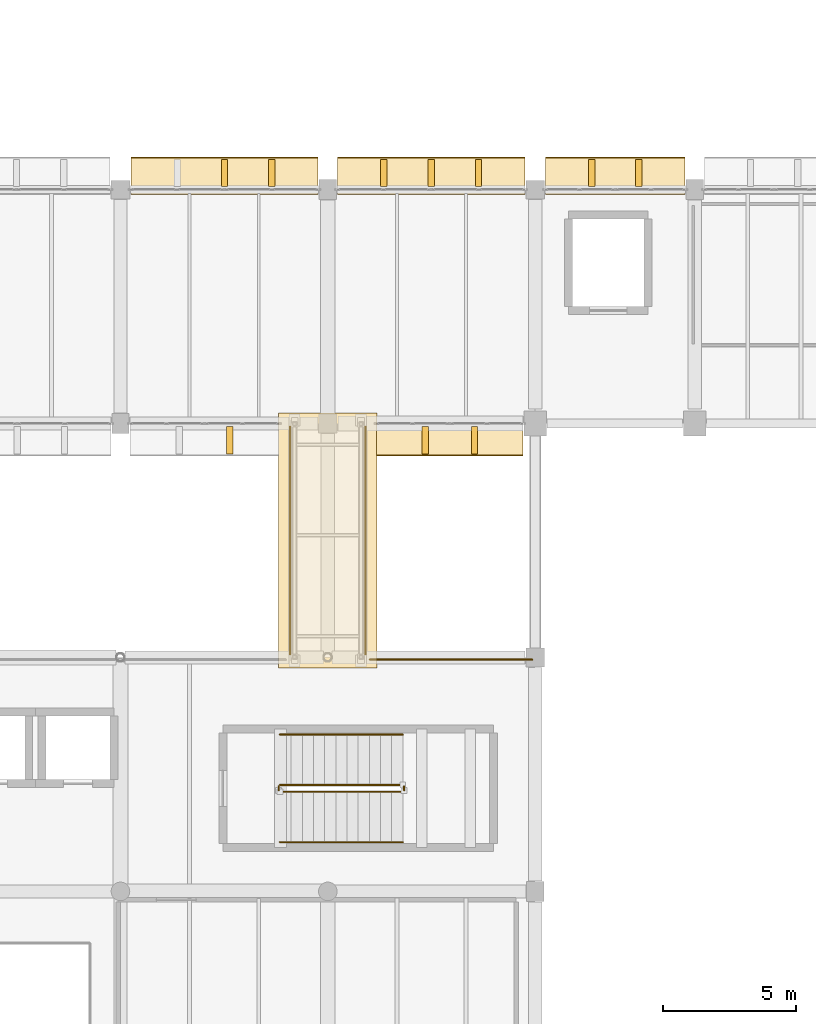
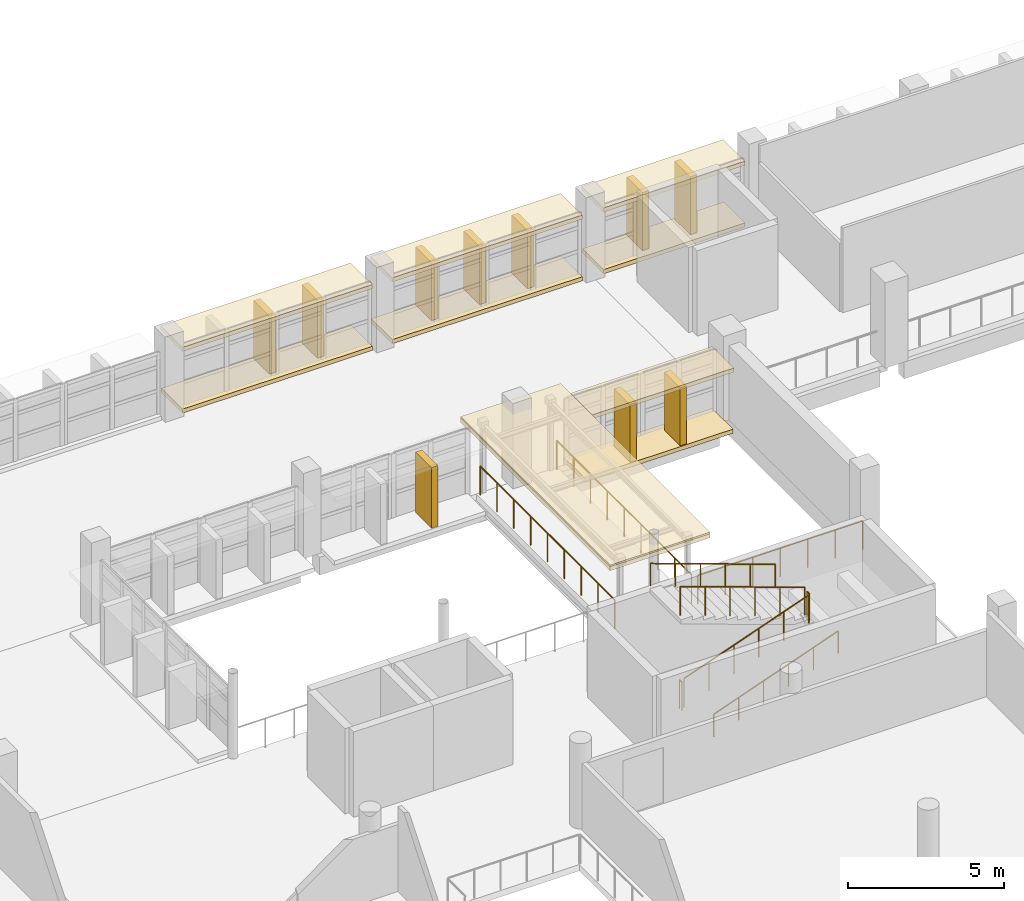
# One storey, part 72 of 75: 10 coverings, 10 shading devices, 9 railings.
"""IFC4 building model written with IfcOpenShell, lengths in metres."""

from ifc_helpers import new_model, si_unit, direction, frame, origin, origin_2d, place, context, subcontext, project, spatial, polyline, rectangle, circle, outline, extrude, material, layer, layer_set, type_object, element, save


model = new_model("IFC4")

# Units and contexts
model_context = context("Model", 3, precision=1e-05, world=origin(), true_north=direction((0.0, 1.0)))
body_context = subcontext(model_context, "Body", "Model", "MODEL_VIEW")
ifc_project = project(units=[si_unit("LENGTHUNIT", "METRE"), si_unit("AREAUNIT", "SQUARE_METRE"), si_unit("VOLUMEUNIT", "CUBIC_METRE"), si_unit("PLANEANGLEUNIT", "RADIAN"), si_unit("MASSUNIT", "GRAM", prefix="KILO")], contexts=[model_context])

# Site, building, storey
site_placement = place(None, origin())
site = spatial("IfcSite", under=ifc_project, at=site_placement, CompositionType="ELEMENT")
building_placement = place(site_placement, origin())
building = spatial("IfcBuilding", under=site, at=building_placement, Name="Varnakota Cinema and Media Centre", CompositionType="ELEMENT")
storey_placement = place(building_placement, frame((0.0, 0.0, 8.39990234375)))
storey = spatial("IfcBuildingStorey", under=building, at=storey_placement, Name="L02", CompositionType="ELEMENT", Elevation=8.39990234375)

# Coverings
ifc_material_1 = material(Name="Precast concrete M40", Category="concrete")
ifc_layer_1 = layer(ifc_material_1, 0.159912109375)
ifc_layer_set_1 = layer_set([ifc_layer_1], Name="Precast concrete M40")
covering_type_1 = type_object("IfcCoveringType", Name="COV-CHAJJA-160", PredefinedType="CLADDING", material=ifc_layer_set_1)
covering_1_placement = place(storey_placement, frame((0.0, 0.0, 2.4150390625)))
element("IfcCovering", 1, at=covering_1_placement, inside=storey, type_object=covering_type_1, Name="L02 Brutalist chajja overhang V1-N-1", PredefinedType="CLADDING", context=body_context, shape_type="SweptSolid", body=[
    extrude(outline(polyline([(75.389892578125, 43.820068359375), (80.635009765625, 43.820068359375), (80.635009765625, 45.219970703125), (75.389892578125, 45.219970703125), (75.389892578125, 43.820068359375)])), origin(), (0.0, 0.0, 1.0), 0.16015625),
])
covering_2_placement = place(storey_placement, origin())
element("IfcCovering", 2, at=covering_2_placement, inside=storey, type_object=covering_type_1, Name="L02 brise-soleil base plinth V1-N-1", PredefinedType="CLADDING", context=body_context, shape_type="SweptSolid", body=[
    extrude(outline(polyline([(75.389892578125, 43.820068359375), (80.635009765625, 43.820068359375), (80.635009765625, 45.179931640625), (75.389892578125, 45.179931640625), (75.389892578125, 43.820068359375)])), origin(), (0.0, 0.0, 1.0), 0.16015625),
])
covering_3_placement = place(storey_placement, frame((0.0, 0.0, 2.4150390625)))
element("IfcCovering", 3, at=covering_3_placement, inside=storey, type_object=covering_type_1, Name="L02 Brutalist chajja overhang LINK-N-3", PredefinedType="CLADDING", context=body_context, shape_type="SweptSolid", body=[
    extrude(outline(polyline([(59.7900390625, 43.820068359375), (66.8349609375, 43.820068359375), (66.8349609375, 45.219970703125), (59.7900390625, 45.219970703125), (59.7900390625, 43.820068359375)])), origin(), (0.0, 0.0, 1.0), 0.16015625),
])
covering_4_placement = place(storey_placement, origin())
element("IfcCovering", 4, at=covering_4_placement, inside=storey, type_object=covering_type_1, Name="L02 brise-soleil base plinth LINK-N-3", PredefinedType="CLADDING", context=body_context, shape_type="SweptSolid", body=[
    extrude(outline(polyline([(59.7900390625, 43.820068359375), (66.8349609375, 43.820068359375), (66.8349609375, 45.179931640625), (59.7900390625, 45.179931640625), (59.7900390625, 43.820068359375)])), origin(), (0.0, 0.0, 1.0), 0.16015625),
])
covering_5_placement = place(storey_placement, frame((0.0, 0.0, 2.4150390625)))
element("IfcCovering", 5, at=covering_5_placement, inside=storey, type_object=covering_type_1, Name="L02 Brutalist chajja overhang LINK-N-4", PredefinedType="CLADDING", context=body_context, shape_type="SweptSolid", body=[
    extrude(outline(polyline([(67.56494140625, 43.820068359375), (74.610107421875, 43.820068359375), (74.610107421875, 45.219970703125), (67.56494140625, 45.219970703125), (67.56494140625, 43.820068359375)])), origin(), (0.0, 0.0, 1.0), 0.16015625),
])
covering_6_placement = place(storey_placement, origin())
element("IfcCovering", 6, at=covering_6_placement, inside=storey, type_object=covering_type_1, Name="L02 brise-soleil base plinth LINK-N-4", PredefinedType="CLADDING", context=body_context, shape_type="SweptSolid", body=[
    extrude(outline(polyline([(67.56494140625, 43.820068359375), (74.610107421875, 43.820068359375), (74.610107421875, 45.179931640625), (67.56494140625, 45.179931640625), (67.56494140625, 43.820068359375)])), origin(), (0.0, 0.0, 1.0), 0.16015625),
])
covering_7_placement = place(storey_placement, frame((0.0, 0.0, 2.4150390625)))
element("IfcCovering", 7, at=covering_7_placement, inside=storey, type_object=covering_type_1, Name="L02 Brutalist chajja overhang LINK-S-E-1", PredefinedType="CLADDING", context=body_context, shape_type="SweptSolid", body=[
    extrude(outline(polyline([(74.534912109375, 35.3798828125), (69.0400390625, 35.3798828125), (69.0400390625, 33.97998046875), (74.534912109375, 33.97998046875), (74.534912109375, 35.3798828125)])), origin(), (0.0, 0.0, 1.0), 0.16015625),
])
covering_8_placement = place(storey_placement, origin())
element("IfcCovering", 8, at=covering_8_placement, inside=storey, type_object=covering_type_1, Name="L02 brise-soleil base plinth LINK-S-E-1", PredefinedType="CLADDING", context=body_context, shape_type="SweptSolid", body=[
    extrude(outline(polyline([(74.534912109375, 35.3798828125), (69.0400390625, 35.3798828125), (69.0400390625, 34.02001953125), (74.534912109375, 34.02001953125), (74.534912109375, 35.3798828125)])), origin(), (0.0, 0.0, 1.0), 0.16015625),
])
ifc_material_2 = material(Name="Pale Tandur limestone cool roof", Category="masonry")
ifc_layer_2 = layer(ifc_material_2, 0.080078125)
ifc_layer_set_2 = layer_set([ifc_layer_2], Name="Pale Tandur limestone cool roof")
covering_type_2 = type_object("IfcCoveringType", Name="COV-COOLROOF-80", PredefinedType="ROOFING", material=ifc_layer_set_2)
covering_9_placement = place(storey_placement, frame((0.0, 0.0, 2.85009765625)))
element("IfcCovering", 9, at=covering_9_placement, inside=storey, type_object=covering_type_2, Name="L02 Chowk sky-bridge BR2 cool-roof cap", PredefinedType="ROOFING", context=body_context, shape_type="SweptSolid", body=[
    extrude(outline(polyline([(65.35009765625, 26.0), (69.050048828125, 26.0), (69.050048828125, 35.60009765625), (65.35009765625, 35.60009765625), (65.35009765625, 26.0)])), origin(), (0.0, 0.0, 1.0), 0.06005859375),
])
ifc_material_3 = material(Name="Pale Tandur limestone cladding", Category="masonry")
ifc_layer_3 = layer(ifc_material_3, 0.1201171875)
ifc_layer_set_3 = layer_set([ifc_layer_3], Name="Pale Tandur limestone cladding")
covering_type_3 = type_object("IfcCoveringType", Name="COV-CORNICE-120", PredefinedType="ROOFING", material=ifc_layer_set_3)
covering_10_placement = place(storey_placement, frame((0.0, 0.0, 2.690185546875)))
element("IfcCovering", 10, at=covering_10_placement, inside=storey, type_object=covering_type_3, Name="L02 Chowk sky-bridge BR2 precast sun-canopy", PredefinedType="ROOFING", context=body_context, shape_type="SweptSolid", body=[
    extrude(outline(polyline([(65.35009765625, 26.0), (69.050048828125, 26.0), (69.050048828125, 35.60009765625), (65.35009765625, 35.60009765625), (65.35009765625, 26.0)])), origin(), (0.0, 0.0, 1.0), 0.159912109375),
])

# Railings
ifc_material_4 = material(Name="Anodised golden-bronze steel Grade 350 (E350)", Category="steel")
ifc_layer_4 = layer(ifc_material_4, 0.050048828125)
ifc_layer_set_4 = layer_set([ifc_layer_4], Name="Anodised golden-bronze steel Grade 350 (E350)")
railing_type_1 = type_object("IfcRailingType", Name="RAIL-GUARD-1150", PredefinedType="BALUSTRADE", material=ifc_layer_set_4)
railing_1_placement = place(storey_placement, frame((68.780029296875, 26.320068359375, 0.0)))
element("IfcRailing", 11, at=railing_1_placement, inside=storey, type_object=railing_type_1, Name="L02 guard balustrade GRD-V6GAL-N2-L02-1", PredefinedType="BALUSTRADE", context=body_context, shape_type="SweptSolid", body=[
    extrude(circle(Radius=0.02392578125, at=origin_2d()), frame((0.0, 0.0, 1.1259765625), z_axis=(1.0, 0.0, 0.0), x_axis=(0.0, 1.0, 0.0)), (0.0, 0.0, 1.0), 6.10986328125),
    extrude(circle(Radius=0.02099609375, at=origin_2d()), origin(), (0.0, 0.0, 1.0), 1.101806640625),
    extrude(circle(Radius=0.02099609375, at=origin_2d()), frame((1.018310546875, 0.0, 0.0)), (0.0, 0.0, 1.0), 1.101806640625),
    extrude(circle(Radius=0.02099609375, at=origin_2d()), frame((2.03662109375, 0.0, 0.0)), (0.0, 0.0, 1.0), 1.101806640625),
    extrude(circle(Radius=0.02099609375, at=origin_2d()), frame((3.054931640625, 0.0, 0.0)), (0.0, 0.0, 1.0), 1.101806640625),
    extrude(circle(Radius=0.02099609375, at=origin_2d()), frame((4.0732421875, 0.0, 0.0)), (0.0, 0.0, 1.0), 1.101806640625),
    extrude(circle(Radius=0.02099609375, at=origin_2d()), frame((5.091552734375, 0.0, 0.0)), (0.0, 0.0, 1.0), 1.101806640625),
    extrude(circle(Radius=0.02099609375, at=origin_2d()), frame((6.10986328125, 0.0, 0.0)), (0.0, 0.0, 1.0), 1.101806640625),
])
for number, where, name in (
    (12, (65.780029296875, 26.449951171875, 0.0), "L02 guard balustrade GRD-BR2-W-1"),
    (13, (68.6201171875, 26.449951171875, 0.0), "L02 guard balustrade GRD-BR2-E-1"),
):
    element("IfcRailing", number, at=place(storey_placement, frame(where)), inside=storey, type_object=railing_type_1, Name=name, PredefinedType="BALUSTRADE", context=body_context, shape_type="SweptSolid", body=[
        extrude(circle(Radius=0.02392578125, at=origin_2d()), frame((0.0, 0.0, 1.1259765625), z_axis=(0.0, 1.0, 0.0), x_axis=(-1.0, 0.0, 0.0)), (0.0, 0.0, 1.0), 8.64013671875),
        extrude(circle(Radius=0.02099609375, at=origin_2d()), origin(), (0.0, 0.0, 1.0), 1.101806640625),
        extrude(circle(Radius=0.02099609375, at=origin_2d()), frame((0.0, 1.080078125, 0.0)), (0.0, 0.0, 1.0), 1.101806640625),
        extrude(circle(Radius=0.02099609375, at=origin_2d()), frame((0.0, 2.16015625, 0.0)), (0.0, 0.0, 1.0), 1.101806640625),
        extrude(circle(Radius=0.02099609375, at=origin_2d()), frame((0.0, 3.239990234375, 0.0)), (0.0, 0.0, 1.0), 1.101806640625),
        extrude(circle(Radius=0.02099609375, at=origin_2d()), frame((0.0, 4.320068359375, 0.0)), (0.0, 0.0, 1.0), 1.101806640625),
        extrude(circle(Radius=0.02099609375, at=origin_2d()), frame((0.0, 5.400146484375, 0.0)), (0.0, 0.0, 1.0), 1.101806640625),
        extrude(circle(Radius=0.02099609375, at=origin_2d()), frame((0.0, 6.47998046875, 0.0)), (0.0, 0.0, 1.0), 1.101806640625),
        extrude(circle(Radius=0.02099609375, at=origin_2d()), frame((0.0, 7.56005859375, 0.0)), (0.0, 0.0, 1.0), 1.101806640625),
        extrude(circle(Radius=0.02099609375, at=origin_2d()), frame((0.0, 8.64013671875, 0.0)), (0.0, 0.0, 1.0), 1.101806640625),
    ])
ifc_material_5 = material(Name="Structural steel Grade 350 (E350)", Category="steel")
ifc_layer_5 = layer(ifc_material_5, 0.050048828125)
ifc_layer_set_5 = layer_set([ifc_layer_5], Name="Structural steel Grade 350 (E350)")
railing_type_2 = type_object("IfcRailingType", Name="RAIL-STAIR-GUARD-1150", PredefinedType="GUARDRAIL", material=ifc_layer_set_5)
railing_2_placement = place(storey_placement, frame((65.39990234375, 21.35009765625, 0.150146484375)))
element("IfcRailing", 14, at=railing_2_placement, inside=storey, type_object=railing_type_2, Name="L02 ST-04 stair guard 1", PredefinedType="GUARDRAIL", context=body_context, shape_type="SweptSolid", body=[
    extrude(circle(Radius=0.02392578125, at=origin_2d()), frame((0.0, 0.0, 1.1259765625), z_axis=(0.941750918478, 0.0, 0.336311176658), x_axis=(0.0, 1.0, 0.0)), (0.0, 0.0, 1.0), 4.90576171875),
    extrude(circle(Radius=0.02099609375, at=origin_2d()), origin(), (0.0, 0.0, 1.0), 1.101806640625),
    extrude(circle(Radius=0.02099609375, at=origin_2d()), frame((0.924072265625, 0.0, 0.330078125)), (0.0, 0.0, 1.0), 1.101806640625),
    extrude(circle(Radius=0.02099609375, at=origin_2d()), frame((1.84814453125, 0.0, 0.659912109375)), (0.0, 0.0, 1.0), 1.101806640625),
    extrude(circle(Radius=0.02099609375, at=origin_2d()), frame((2.77197265625, 0.0, 0.989990234375)), (0.0, 0.0, 1.0), 1.101806640625),
    extrude(circle(Radius=0.02099609375, at=origin_2d()), frame((3.696044921875, 0.0, 1.31982421875)), (0.0, 0.0, 1.0), 1.101806640625),
    extrude(circle(Radius=0.02099609375, at=origin_2d()), frame((4.6201171875, 0.0, 1.64990234375)), (0.0, 0.0, 1.0), 1.101806640625),
])
railing_3_placement = place(storey_placement, frame((70.070068359375, 21.39990234375, 1.800048828125)))
element("IfcRailing", 15, at=railing_3_placement, inside=storey, type_object=railing_type_2, Name="L02 ST-04 stair guard 2", PredefinedType="GUARDRAIL", context=body_context, shape_type="SweptSolid", body=[
    extrude(circle(Radius=0.02392578125, at=origin_2d()), frame((0.0, 0.0, 1.1259765625), z_axis=(0.0, 1.0, 0.0), x_axis=(-1.0, 0.0, 0.0)), (0.0, 0.0, 1.0), 0.150146484375),
    extrude(circle(Radius=0.02099609375, at=origin_2d()), origin(), (0.0, 0.0, 1.0), 1.101806640625),
    extrude(circle(Radius=0.02099609375, at=origin_2d()), frame((0.0, 0.150146484375, 0.0)), (0.0, 0.0, 1.0), 1.101806640625),
])
railing_4_placement = place(storey_placement, frame((70.02001953125, 21.60009765625, 1.9501953125)))
element("IfcRailing", 16, at=railing_4_placement, inside=storey, type_object=railing_type_2, Name="L02 ST-04 stair guard 3", PredefinedType="GUARDRAIL", context=body_context, shape_type="SweptSolid", body=[
    extrude(circle(Radius=0.02392578125, at=origin_2d()), frame((0.0, 0.0, 1.1259765625), z_axis=(-0.941750918478, 0.0, 0.336311176658), x_axis=(0.0, -1.0, 0.0)), (0.0, 0.0, 1.0), 4.90576171875),
    extrude(circle(Radius=0.02099609375, at=origin_2d()), origin(), (0.0, 0.0, 1.0), 1.101806640625),
    extrude(circle(Radius=0.02099609375, at=origin_2d()), frame((-0.924072265625, 0.0, 0.330078125)), (0.0, 0.0, 1.0), 1.101806640625),
    extrude(circle(Radius=0.02099609375, at=origin_2d()), frame((-1.84814453125, 0.0, 0.659912109375)), (0.0, 0.0, 1.0), 1.101806640625),
    extrude(circle(Radius=0.02099609375, at=origin_2d()), frame((-2.77197265625, 0.0, 0.989990234375)), (0.0, 0.0, 1.0), 1.101806640625),
    extrude(circle(Radius=0.02099609375, at=origin_2d()), frame((-3.696044921875, 0.0, 1.31982421875)), (0.0, 0.0, 1.0), 1.101806640625),
    extrude(circle(Radius=0.02099609375, at=origin_2d()), frame((-4.6201171875, 0.0, 1.64990234375)), (0.0, 0.0, 1.0), 1.101806640625),
])
railing_5_placement = place(storey_placement, frame((65.35009765625, 21.39990234375, 0.0)))
element("IfcRailing", 17, at=railing_5_placement, inside=storey, type_object=railing_type_2, Name="L02 ST-04 stair guard 4", PredefinedType="GUARDRAIL", context=body_context, shape_type="SweptSolid", body=[
    extrude(circle(Radius=0.02392578125, at=origin_2d()), frame((0.0, 0.0, 1.1259765625), z_axis=(0.0, 1.0, 0.0), x_axis=(-1.0, 0.0, 0.0)), (0.0, 0.0, 1.0), 0.150146484375),
    extrude(circle(Radius=0.02099609375, at=origin_2d()), origin(), (0.0, 0.0, 1.0), 1.101806640625),
    extrude(circle(Radius=0.02099609375, at=origin_2d()), frame((0.0, 0.150146484375, 0.0)), (0.0, 0.0, 1.0), 1.101806640625),
])
ifc_material_6 = material(Name="Structural steel Grade 350 (E350)", Category="steel")
ifc_layer_6 = layer(ifc_material_6, 0.048095703125)
ifc_layer_set_6 = layer_set([ifc_layer_6], Name="Structural steel Grade 350 (E350)")
railing_type_3 = type_object("IfcRailingType", Name="RAIL-STAIR-HAND-900", PredefinedType="HANDRAIL", material=ifc_layer_set_6)
railing_6_placement = place(storey_placement, frame((65.39990234375, 19.449951171875, 0.150146484375)))
element("IfcRailing", 18, at=railing_6_placement, inside=storey, type_object=railing_type_3, Name="L02 ST-04 stair handrail 1", PredefinedType="HANDRAIL", context=body_context, shape_type="SweptSolid", body=[
    extrude(circle(Radius=0.02392578125, at=origin_2d()), frame((0.0, 0.0, 0.8759765625), z_axis=(0.941750918478, 0.0, 0.336311176658), x_axis=(0.0, 1.0, 0.0)), (0.0, 0.0, 1.0), 4.90576171875),
    extrude(circle(Radius=0.02099609375, at=origin_2d()), origin(), (0.0, 0.0, 1.0), 0.851806640625),
    extrude(circle(Radius=0.02099609375, at=origin_2d()), frame((0.924072265625, 0.0, 0.330078125)), (0.0, 0.0, 1.0), 0.851806640625),
    extrude(circle(Radius=0.02099609375, at=origin_2d()), frame((1.84814453125, 0.0, 0.659912109375)), (0.0, 0.0, 1.0), 0.851806640625),
    extrude(circle(Radius=0.02099609375, at=origin_2d()), frame((2.77197265625, 0.0, 0.989990234375)), (0.0, 0.0, 1.0), 0.851806640625),
    extrude(circle(Radius=0.02099609375, at=origin_2d()), frame((3.696044921875, 0.0, 1.31982421875)), (0.0, 0.0, 1.0), 0.851806640625),
    extrude(circle(Radius=0.02099609375, at=origin_2d()), frame((4.6201171875, 0.0, 1.64990234375)), (0.0, 0.0, 1.0), 0.851806640625),
])
railing_7_placement = place(storey_placement, frame((70.02001953125, 23.5, 1.9501953125)))
element("IfcRailing", 19, at=railing_7_placement, inside=storey, type_object=railing_type_3, Name="L02 ST-04 stair handrail 2", PredefinedType="HANDRAIL", context=body_context, shape_type="SweptSolid", body=[
    extrude(circle(Radius=0.02392578125, at=origin_2d()), frame((0.0, 0.0, 0.8759765625), z_axis=(-0.941750918478, 0.0, 0.336311176658), x_axis=(0.0, -1.0, 0.0)), (0.0, 0.0, 1.0), 4.90576171875),
    extrude(circle(Radius=0.02099609375, at=origin_2d()), origin(), (0.0, 0.0, 1.0), 0.851806640625),
    extrude(circle(Radius=0.02099609375, at=origin_2d()), frame((-0.924072265625, 0.0, 0.330078125)), (0.0, 0.0, 1.0), 0.851806640625),
    extrude(circle(Radius=0.02099609375, at=origin_2d()), frame((-1.84814453125, 0.0, 0.659912109375)), (0.0, 0.0, 1.0), 0.851806640625),
    extrude(circle(Radius=0.02099609375, at=origin_2d()), frame((-2.77197265625, 0.0, 0.989990234375)), (0.0, 0.0, 1.0), 0.851806640625),
    extrude(circle(Radius=0.02099609375, at=origin_2d()), frame((-3.696044921875, 0.0, 1.31982421875)), (0.0, 0.0, 1.0), 0.851806640625),
    extrude(circle(Radius=0.02099609375, at=origin_2d()), frame((-4.6201171875, 0.0, 1.64990234375)), (0.0, 0.0, 1.0), 0.851806640625),
])

# Shading devices
ifc_material_7 = material(Name="Precast concrete M40", Category="concrete")
shading_device_type = type_object("IfcShadingDeviceType", Name="SHD-BRISE-FIN-240", PredefinedType="JALOUSIE", material=ifc_material_7)
for number, where, z_axis, x_axis, name in (
    (20, (77.125, 44.6298828125, 0.150146484375), (0.0, 0.0, 1.0), (1.0, 0.0, 0.0), "L02 vertical concrete brise-soleil fin V1-N-1.1"),
    (21, (78.89990234375, 44.6298828125, 0.150146484375), (0.0, 0.0, 1.0), (1.0, 0.0, 0.0), "L02 vertical concrete brise-soleil fin V1-N-1.2"),
    (22, (63.3125, 44.6298828125, 0.150146484375), (0.0, 0.0, 1.0), (1.0, 0.0, 0.0), "L02 vertical concrete brise-soleil fin LINK-N-3.2"),
    (23, (65.09375, 44.6298828125, 0.150146484375), (0.0, 0.0, 1.0), (1.0, 0.0, 0.0), "L02 vertical concrete brise-soleil fin LINK-N-3.3"),
    (24, (69.30615234375, 44.6298828125, 0.150146484375), (0.0, 0.0, 1.0), (1.0, 0.0, 0.0), "L02 vertical concrete brise-soleil fin LINK-N-4.1"),
    (25, (71.08740234375, 44.6298828125, 0.150146484375), (0.0, 0.0, 1.0), (1.0, 0.0, 0.0), "L02 vertical concrete brise-soleil fin LINK-N-4.2"),
    (26, (72.868896484375, 44.6298828125, 0.150146484375), (0.0, 0.0, 1.0), (1.0, 0.0, 0.0), "L02 vertical concrete brise-soleil fin LINK-N-4.3"),
):
    element("IfcShadingDevice", number, at=place(storey_placement, frame(where, z_axis=z_axis, x_axis=x_axis)), inside=storey, type_object=shading_device_type, Name=name, PredefinedType="JALOUSIE", context=body_context, shape_type="SweptSolid", body=[
        extrude(rectangle(XDim=0.239990234375, YDim=1.02001953125, at=origin_2d()), origin(), (0.0, 0.0, 1.0), 2.27490234375),
    ])
shading_device_placement = place(storey_placement, frame((63.50830078125, 34.570068359375, 0.150146484375), z_axis=(0.0, 0.0, 1.0), x_axis=(-1.0, 0.0, 0.0)))
element("IfcShadingDevice", 27, at=shading_device_placement, inside=storey, type_object=shading_device_type, Name="L02 vertical concrete brise-soleil fin LINK-S-W-1.1", PredefinedType="JALOUSIE", context=body_context, shape_type="SweptSolid", body=[
    extrude(rectangle(XDim=0.239990234375, YDim=1.02001953125, at=origin_2d()), origin(), (0.0, 0.0, 1.0), 2.375),
])
for number, where, z_axis, x_axis, name in (
    (28, (72.716796875, 34.570068359375, 0.150146484375), (0.0, 0.0, 1.0), (-1.0, 0.0, 0.0), "L02 vertical concrete brise-soleil fin LINK-S-E-1.1"),
    (29, (70.8583984375, 34.570068359375, 0.150146484375), (0.0, 0.0, 1.0), (-1.0, 0.0, 0.0), "L02 vertical concrete brise-soleil fin LINK-S-E-1.2"),
):
    element("IfcShadingDevice", number, at=place(storey_placement, frame(where, z_axis=z_axis, x_axis=x_axis)), inside=storey, type_object=shading_device_type, Name=name, PredefinedType="JALOUSIE", context=body_context, shape_type="SweptSolid", body=[
        extrude(rectangle(XDim=0.239990234375, YDim=1.02001953125, at=origin_2d()), origin(), (0.0, 0.0, 1.0), 2.27490234375),
    ])

save(model, "model.ifc")
